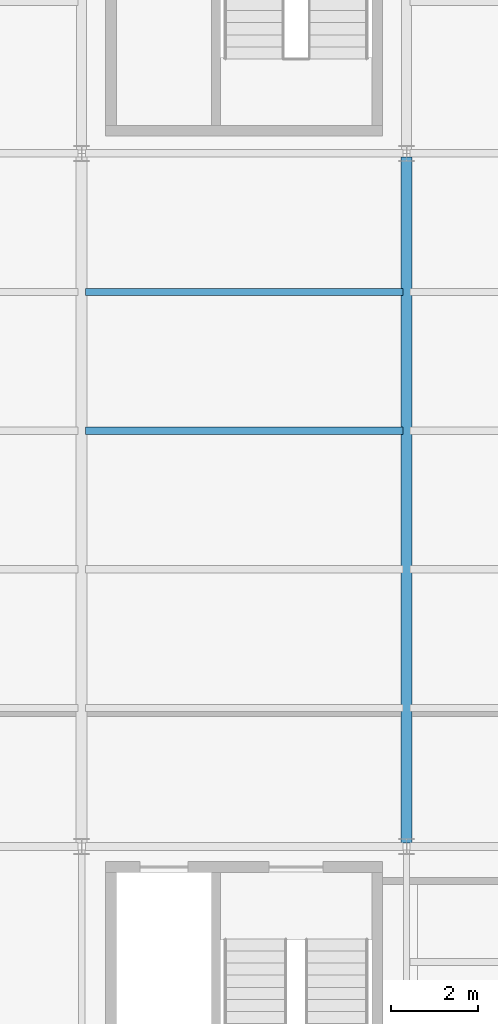
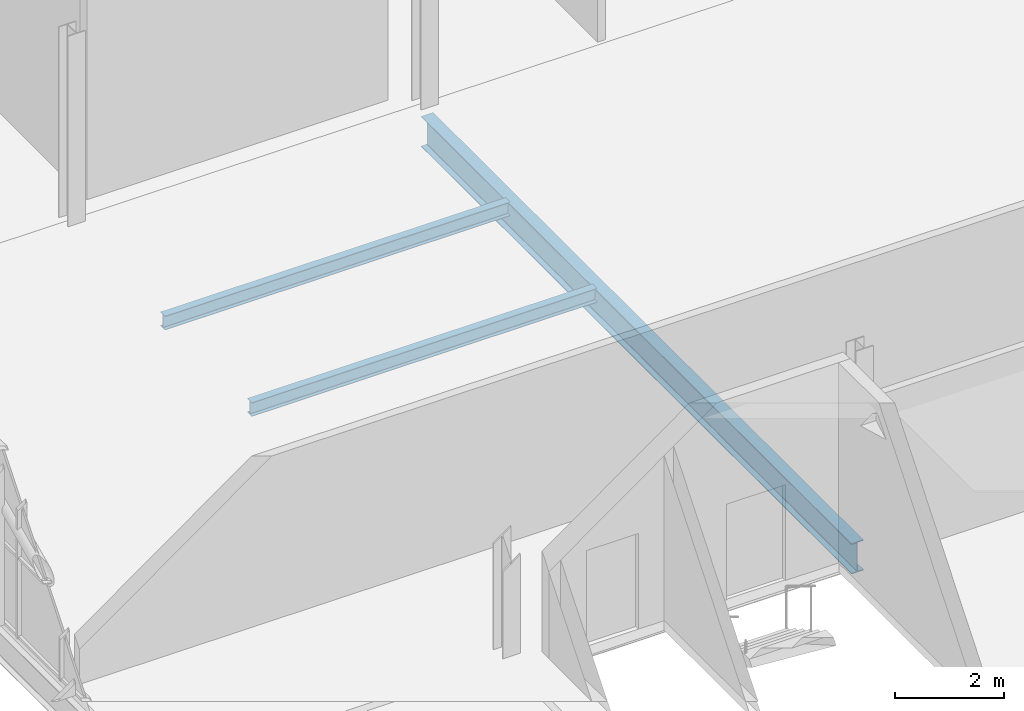
# One storey, part 23 of 324: 3 beams.
"""IFC4 building model written with IfcOpenShell, lengths in metres."""

from ifc_helpers import new_model, si_unit, direction, frame, origin, origin_2d, place, context, subcontext, project, spatial, i_section, extrude, material, material_profile, profile_set, type_object, element, save


model = new_model("IFC4")

# Units and contexts
model_context = context("Model", 3, precision=1e-05, world=origin(), true_north=direction((0.0, 1.0)))
body_context = subcontext(model_context, "Body", "Model", "MODEL_VIEW")
ifc_project = project(units=[si_unit("LENGTHUNIT", "METRE"), si_unit("AREAUNIT", "SQUARE_METRE"), si_unit("VOLUMEUNIT", "CUBIC_METRE"), si_unit("PLANEANGLEUNIT", "RADIAN"), si_unit("MASSUNIT", "GRAM", prefix="KILO")], contexts=[model_context])

# Site, building, storey
site_placement = place(None, origin())
site = spatial("IfcSite", under=ifc_project, at=site_placement, CompositionType="ELEMENT")
building_placement = place(site_placement, origin())
building = spatial("IfcBuilding", under=site, at=building_placement, Name="Solvenia Promenade Tram Depot", CompositionType="ELEMENT")
storey_placement = place(building_placement, frame((0.0, 0.0, 4.5)))
storey = spatial("IfcBuildingStorey", under=building, at=storey_placement, Name="L01", CompositionType="ELEMENT", Elevation=4.5)

# Beams
ifc_material = material(Name="Structural steel ASTM A992 Gr. 50", Category="steel")
ifc_material_profile_1 = material_profile(ifc_material, i_section(OverallWidth=0.25390625, OverallDepth=0.68408203125, WebThickness=0.012451171875, FlangeThickness=0.018798828125, FilletRadius=0.01611328125, at=origin_2d()), Name="W690x140", Category="steel")
ifc_profile_set_1 = profile_set([ifc_material_profile_1], Name="Structural steel ASTM A992 Gr. 50")
beam_type_1 = type_object("IfcBeamType", Name="Gird-W690x140", PredefinedType="BEAM", material=ifc_profile_set_1)
beam_placement = place(storey_placement, frame((15.0, 8.0849609375, -0.56201171875), z_axis=(0.0, 1.0, 0.0), x_axis=(-1.0, 0.0, 0.0)))
element("IfcBeam", 1, at=beam_placement, inside=storey, type_object=beam_type_1, Name="Transverse Girder BM-L01-0334", PredefinedType="BEAM", context=body_context, shape_type="SweptSolid", body=[
    extrude(i_section(OverallWidth=0.25390625, OverallDepth=0.68408203125, WebThickness=0.012451171875, FlangeThickness=0.018798828125, FilletRadius=0.01611328125, at=origin_2d()), origin(), (0.0, 0.0, 1.0), 15.830078125),
])
ifc_material_profile_2 = material_profile(ifc_material, i_section(OverallWidth=0.166015625, OverallDepth=0.31298828125, WebThickness=0.006591796875, FlangeThickness=0.01123046875, FilletRadius=0.010009765625, at=origin_2d()), Name="W310x45", Category="steel")
ifc_profile_set_2 = profile_set([ifc_material_profile_2], Name="Structural steel ASTM A992 Gr. 50")
beam_type_2 = type_object("IfcBeamType", Name="Joist-W310x45", PredefinedType="JOIST", material=ifc_profile_set_2)
for number, where, z_axis, x_axis, name in (
    (2, (7.5849609375, 17.60009765625, -0.37646484375), (1.0, 0.0, 0.0), (0.0, 1.0, 0.0), "Secondary Floor Joist BM-L01-0362"),
    (3, (7.5849609375, 20.800048828125, -0.37646484375), (1.0, 0.0, 0.0), (0.0, 1.0, 0.0), "Secondary Floor Joist BM-L01-0363"),
):
    element("IfcBeam", number, at=place(storey_placement, frame(where, z_axis=z_axis, x_axis=x_axis)), inside=storey, type_object=beam_type_2, Name=name, PredefinedType="JOIST", context=body_context, shape_type="SweptSolid", body=[
        extrude(i_section(OverallWidth=0.166015625, OverallDepth=0.31298828125, WebThickness=0.006591796875, FlangeThickness=0.01123046875, FilletRadius=0.010009765625, at=origin_2d()), origin(), (0.0, 0.0, 1.0), 7.330078125),
    ])

save(model, "model.ifc")
